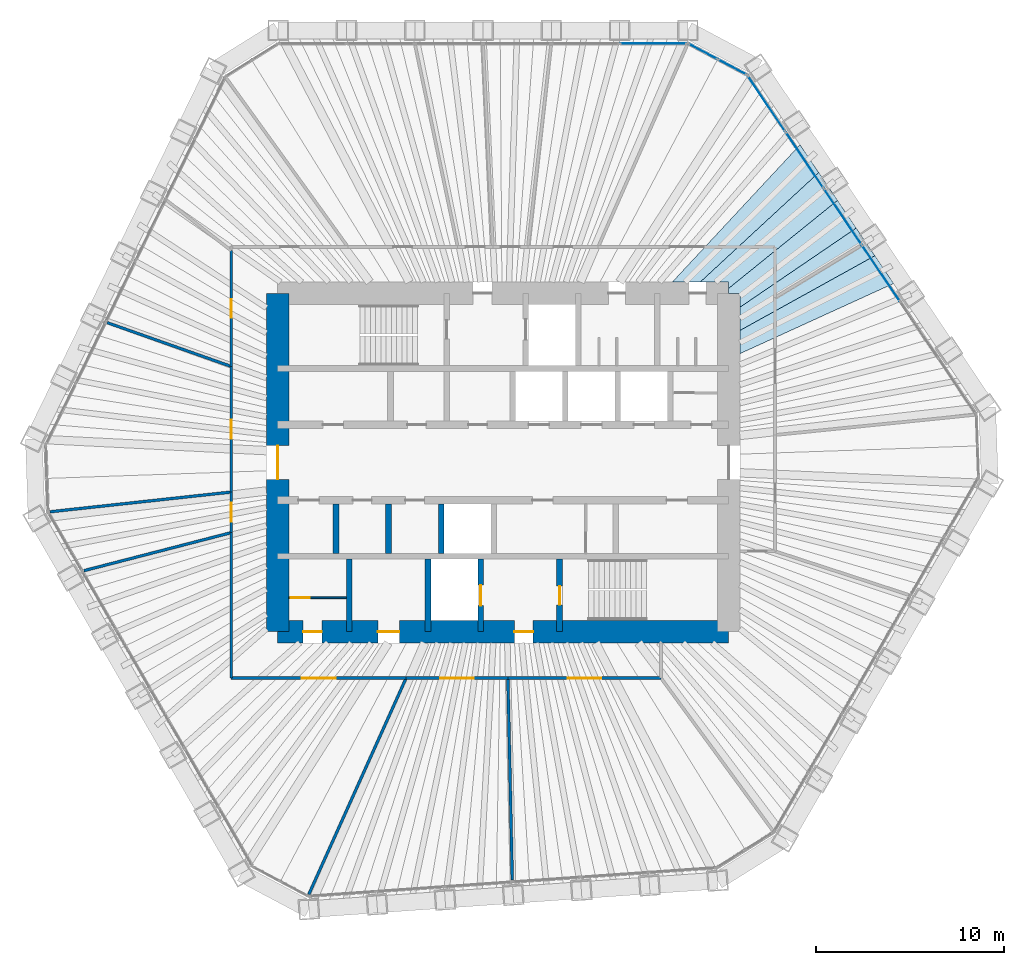
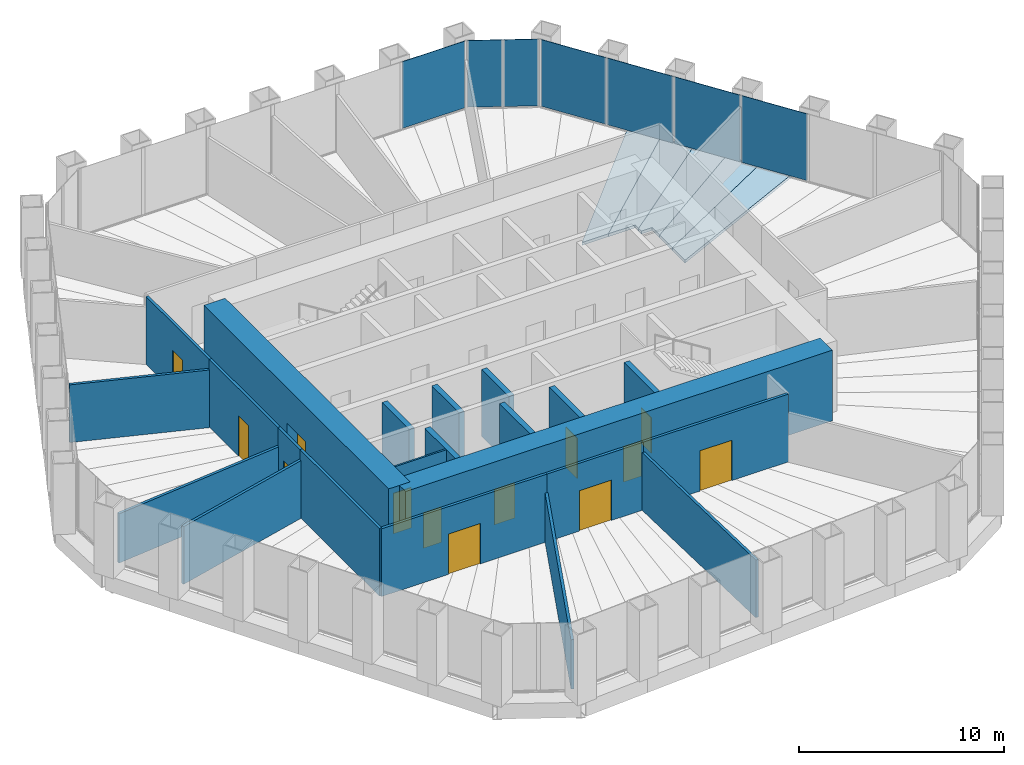
# One storey, part 10 of 14: 22 walls, 13 doors, 7 plates, 5 slabs, 13 openings, 3 elements without a shape of their own.
"""IFC4 building model written with IfcOpenShell, lengths in metres."""

from ifc_helpers import new_model, si_unit, direction, frame, frame_2d, origin, origin_2d, place, context, subcontext, project, spatial, polyline, rectangle, outline, extrude, material, layer, layer_set, type_object, element, fill, aggregate, save


model = new_model("IFC4")

# Units and contexts
model_context = context("Model", 3, precision=1e-05, world=origin(), true_north=direction((0.0, 1.0)))
body_context = subcontext(model_context, "Body", "Model", "MODEL_VIEW")
ifc_project = project(units=[si_unit("LENGTHUNIT", "METRE"), si_unit("AREAUNIT", "SQUARE_METRE"), si_unit("VOLUMEUNIT", "CUBIC_METRE"), si_unit("PLANEANGLEUNIT", "RADIAN"), si_unit("MASSUNIT", "GRAM", prefix="KILO")], contexts=[model_context])

# Site, building, storey
site_placement = place(None, origin())
site = spatial("IfcSite", under=ifc_project, at=site_placement, CompositionType="ELEMENT")
building_placement = place(site_placement, origin())
building = spatial("IfcBuilding", under=site, at=building_placement, Name="Qingtian Harvest Tower", CompositionType="ELEMENT")
storey_placement = place(building_placement, frame((0.0, 0.0, 197.199951171875)))
storey = spatial("IfcBuildingStorey", under=building, at=storey_placement, Name="L42", CompositionType="ELEMENT", Elevation=197.199951171875)

# Slabs
ifc_material_1 = material(Name="Concrete fc' 35 MPa", Category="concrete")
ifc_layer_1 = layer(ifc_material_1, 0.169921875)
ifc_layer_set_1 = layer_set([ifc_layer_1], Name="Composite floor slab FS17 170")
slab_type = type_object("IfcSlabType", Name="Composite floor slab FS17 170", PredefinedType="FLOOR", material=ifc_layer_set_1)
slab_1_placement = place(storey_placement, frame((0.0, 0.0, -0.169921875)))
element("IfcSlab", 1, at=slab_1_placement, inside=storey, type_object=slab_type, Name="Floor slab L42 panel D45", PredefinedType="FLOOR", context=body_context, shape_type="SweptSolid", body=[
    extrude(outline(polyline([(12.60009765625, 7.023681640625), (19.7841796875, 11.003662109375), (20.780517578125, 9.526611328125), (12.60009765625, 5.7900390625), (12.60009765625, 7.023681640625)])), origin(), (0.0, 0.0, 1.0), 0.169921875),
])
slab_2_placement = place(storey_placement, frame((0.0, 0.0, -0.169921875)))
element("IfcSlab", 2, at=slab_2_placement, inside=storey, type_object=slab_type, Name="Floor slab L42 panel D46", PredefinedType="FLOOR", context=body_context, shape_type="SweptSolid", body=[
    extrude(outline(polyline([(12.60009765625, 8.260498046875), (18.791259765625, 12.475830078125), (19.7841796875, 11.003662109375), (12.60009765625, 7.023681640625), (12.60009765625, 8.260498046875)])), origin(), (0.0, 0.0, 1.0), 0.169921875),
])
slab_3_placement = place(storey_placement, frame((0.0, 0.0, -0.169921875)))
element("IfcSlab", 3, at=slab_3_placement, inside=storey, type_object=slab_type, Name="Floor slab L42 panel D47", PredefinedType="FLOOR", context=body_context, shape_type="SweptSolid", body=[
    extrude(outline(polyline([(12.60009765625, 9.0), (12.0, 9.0), (12.0, 9.2666015625), (17.795654296875, 13.95166015625), (18.791259765625, 12.475830078125), (12.60009765625, 8.260498046875), (12.60009765625, 9.0)])), origin(), (0.0, 0.0, 1.0), 0.169921875),
])
slab_4_placement = place(storey_placement, frame((0.0, 0.0, -0.169921875)))
element("IfcSlab", 4, at=slab_4_placement, inside=storey, type_object=slab_type, Name="Floor slab L42 panel D48", PredefinedType="FLOOR", context=body_context, shape_type="SweptSolid", body=[
    extrude(outline(polyline([(12.0, 9.60009765625), (10.48583984375, 9.60009765625), (16.79638671875, 15.43310546875), (17.795654296875, 13.95166015625), (12.0, 9.2666015625), (12.0, 9.60009765625)])), origin(), (0.0, 0.0, 1.0), 0.169921875),
])
slab_5_placement = place(storey_placement, frame((0.0, 0.0, -0.169921875)))
element("IfcSlab", 5, at=slab_5_placement, inside=storey, type_object=slab_type, Name="Floor slab L42 panel D49", PredefinedType="FLOOR", context=body_context, shape_type="SweptSolid", body=[
    extrude(outline(polyline([(8.998291015625, 9.60009765625), (15.800048828125, 16.910400390625), (16.79638671875, 15.43310546875), (10.48583984375, 9.60009765625), (8.998291015625, 9.60009765625)])), origin(), (0.0, 0.0, 1.0), 0.169921875),
])

# Curtain wall, plate
ifc_material_2 = material(Name="Bronze-anodised aluminium curtain wall", Category="aluminium")
curtain_wall_type = type_object("IfcCurtainWallType", Name="Curtain wall CW4 office", PredefinedType="USERDEFINED", material=ifc_material_2)
curtain_wall_1_placement = place(storey_placement, origin())
curtain_wall_1 = element("IfcCurtainWall", 6, at=curtain_wall_1_placement, inside=storey, type_object=curtain_wall_type, Name="Curtain wall CW4 L42 N0-5", ObjectType="RECESSED CURTAIN WALL", PredefinedType="USERDEFINED")
ifc_material_3 = material(Name="Bronze-tinted laminated insulating glass", Category="glass")
ifc_layer_2 = layer(ifc_material_3, 0.030029296875)
ifc_layer_set_2 = layer_set([ifc_layer_2], Name="Glazed panel CWP tinted IGU")
plate_type = type_object("IfcPlateType", Name="Glazed panel CWP tinted IGU", PredefinedType="CURTAIN_PANEL", material=ifc_layer_set_2)
plate_1_placement = place(storey_placement, frame((7.996337890625, 22.300048828125, 0.06494140625), z_axis=(0.0, 0.0, 1.0), x_axis=(1.0, 0.0, 0.0)))
plate_1 = element("IfcPlate", 7, at=plate_1_placement, type_object=plate_type, Name="CW4 panel 6.1", PredefinedType="CURTAIN_PANEL", context=body_context, shape_type="SweptSolid", body=[
    extrude(rectangle(XDim=3.5361328125, YDim=0.030029296875, at=origin_2d()), origin(), (0.0, 0.0, 1.0), 3.965087890625),
])
aggregate(curtain_wall_1, [plate_1])

# Curtain wall, plates
curtain_wall_2_placement = place(storey_placement, origin())
curtain_wall_2 = element("IfcCurtainWall", 8, at=curtain_wall_2_placement, inside=storey, type_object=curtain_wall_type, Name="Curtain wall CW4 L42 NC", ObjectType="RECESSED CURTAIN WALL", PredefinedType="USERDEFINED")
plate_2_placement = place(storey_placement, frame((10.634033203125, 21.8720703125, 0.06494140625), z_axis=(0.0, 0.0, 1.0), x_axis=(0.882947592859, -0.469471562786, 0.0)))
plate_2 = element("IfcPlate", 9, at=plate_2_placement, type_object=plate_type, Name="CW4 panel 1.1", PredefinedType="CURTAIN_PANEL", context=body_context, shape_type="SweptSolid", body=[
    extrude(rectangle(XDim=1.69287109375, YDim=0.030029296875, at=origin_2d()), origin(), (0.0, 0.0, 1.0), 3.965087890625),
])
plate_3_placement = place(storey_placement, frame((12.186279296875, 21.046875, 0.06494140625), z_axis=(0.0, 0.0, 1.0), x_axis=(0.882947592859, -0.469471562786, 0.0)))
plate_3 = element("IfcPlate", 10, at=plate_3_placement, type_object=plate_type, Name="CW4 panel 2.1", PredefinedType="CURTAIN_PANEL", context=body_context, shape_type="SweptSolid", body=[
    extrude(rectangle(XDim=1.69287109375, YDim=0.030029296875, at=origin_2d()), origin(), (0.0, 0.0, 1.0), 3.965087890625),
])
aggregate(curtain_wall_2, [plate_2, plate_3])

curtain_wall_3_placement = place(storey_placement, origin())
curtain_wall_3 = element("IfcCurtainWall", 11, at=curtain_wall_3_placement, inside=storey, type_object=curtain_wall_type, Name="Curtain wall CW4 L42 NE0-5", ObjectType="RECESSED CURTAIN WALL", PredefinedType="USERDEFINED")
plate_4_placement = place(storey_placement, frame((14.01611328125, 19.09912109375, 0.06494140625), z_axis=(0.0, 0.0, 1.0), x_axis=(0.559192903471, -0.829037572555, 0.0)))
plate_4 = element("IfcPlate", 12, at=plate_4_placement, type_object=plate_type, Name="CW4 panel 1.1", PredefinedType="CURTAIN_PANEL", context=body_context, shape_type="SweptSolid", body=[
    extrude(rectangle(XDim=3.5361328125, YDim=0.030029296875, at=origin_2d()), origin(), (0.0, 0.0, 1.0), 3.965087890625),
])
plate_5_placement = place(storey_placement, frame((16.038818359375, 16.100341796875, 0.06494140625), z_axis=(0.0, 0.0, 1.0), x_axis=(0.559192903471, -0.829037572555, 0.0)))
plate_5 = element("IfcPlate", 13, at=plate_5_placement, type_object=plate_type, Name="CW4 panel 2.1", PredefinedType="CURTAIN_PANEL", context=body_context, shape_type="SweptSolid", body=[
    extrude(rectangle(XDim=3.568603515625, YDim=0.030029296875, at=origin_2d()), origin(), (0.0, 0.0, 1.0), 3.965087890625),
])
plate_6_placement = place(storey_placement, frame((18.07080078125, 13.087890625, 0.06494140625), z_axis=(0.0, 0.0, 1.0), x_axis=(0.559192903471, -0.829037572555, 0.0)))
plate_6 = element("IfcPlate", 14, at=plate_6_placement, type_object=plate_type, Name="CW4 panel 3.1", PredefinedType="CURTAIN_PANEL", context=body_context, shape_type="SweptSolid", body=[
    extrude(rectangle(XDim=3.568603515625, YDim=0.030029296875, at=origin_2d()), origin(), (0.0, 0.0, 1.0), 3.965087890625),
])
plate_7_placement = place(storey_placement, frame((20.1025390625, 10.07568359375, 0.06494140625), z_axis=(0.0, 0.0, 1.0), x_axis=(0.559192903471, -0.829037572555, 0.0)))
plate_7 = element("IfcPlate", 15, at=plate_7_placement, type_object=plate_type, Name="CW4 panel 4.1", PredefinedType="CURTAIN_PANEL", context=body_context, shape_type="SweptSolid", body=[
    extrude(rectangle(XDim=3.568603515625, YDim=0.030029296875, at=origin_2d()), origin(), (0.0, 0.0, 1.0), 3.965087890625),
])
aggregate(curtain_wall_3, [plate_4, plate_5, plate_6, plate_7])

# Walls
ifc_material_4 = material(Name="Precast concrete shaft panel", Category="concrete")
ifc_layer_3 = layer(ifc_material_4, 0.300048828125)
ifc_layer_set_3 = layer_set([ifc_layer_3], Name="Core shaft partition SW1 300")
wall_type_1 = type_object("IfcWallType", Name="Core shaft partition SW1 300", PredefinedType="PARTITIONING", material=ifc_layer_set_3)
for number, where, z_axis, x_axis, name in (
    (16, (-8.89990234375, -4.85009765625, 0.0), (0.0, 0.0, 1.0), (0.0, 1.0, 0.0), "Core shaft partition XB1 L42"),
    (17, (-6.10009765625, -4.85009765625, 0.0), (0.0, 0.0, 1.0), (0.0, 1.0, 0.0), "Core shaft partition XB2 L42"),
    (18, (-3.300048828125, -4.85009765625, 0.0), (0.0, 0.0, 1.0), (0.0, 1.0, 0.0), "Core shaft partition XB3 L42"),
):
    element("IfcWall", number, at=place(storey_placement, frame(where, z_axis=z_axis, x_axis=x_axis)), inside=storey, type_object=wall_type_1, Name=name, PredefinedType="PARTITIONING", context=body_context, shape_type="SweptSolid", body=[
        extrude(rectangle(XDim=2.650146484375, YDim=0.300048828125, at=frame_2d((1.3251953125, 0.0))), origin(), (0.0, 0.0, 1.0), 3.97998046875),
    ])
for number, where, z_axis, x_axis, name in (
    (19, (-8.199951171875, -9.0, 0.0), (0.0, 0.0, 1.0), (0.0, 1.0, 0.0), "Core shaft partition XS1 L42"),
    (20, (-4.0, -9.0, 0.0), (0.0, 0.0, 1.0), (0.0, 1.0, 0.0), "Core shaft partition XS2 L42"),
):
    element("IfcWall", number, at=place(storey_placement, frame(where, z_axis=z_axis, x_axis=x_axis)), inside=storey, type_object=wall_type_1, Name=name, PredefinedType="PARTITIONING", context=body_context, shape_type="SweptSolid", body=[
        extrude(rectangle(XDim=3.85009765625, YDim=0.300048828125, at=frame_2d((1.925048828125, 0.0))), origin(), (0.0, 0.0, 1.0), 3.97998046875),
    ])

# Wall, opening, door
wall_1_placement = place(storey_placement, frame((-1.199951171875, -9.0, 0.0), z_axis=(0.0, 0.0, 1.0), x_axis=(0.0, 1.0, 0.0)))
wall_1 = element("IfcWall", 21, at=wall_1_placement, inside=storey, type_object=wall_type_1, Name="Core shaft partition XS3 L42", PredefinedType="PARTITIONING", context=body_context, shape_type="SweptSolid", body=[
    extrude(rectangle(XDim=3.85009765625, YDim=0.300048828125, at=frame_2d((1.925048828125, 0.0))), origin(), (0.0, 0.0, 1.0), 3.97998046875),
])
opening_1_placement = place(wall_1_placement, frame((1.375, 0.0, 0.0)))
opening_1 = element("IfcOpeningElement", 22, at=opening_1_placement, cuts=wall_1, Name="Opening LD1", PredefinedType="OPENING", context=body_context, shape_type="SweptSolid", body=[
    extrude(rectangle(XDim=1.10009765625, YDim=2.39990234375, at=frame_2d((0.550048828125, 1.199951171875))), frame((0.0, 0.159912109375, 0.0), z_axis=(0.0, -1.0, 0.0), x_axis=(1.0, 0.0, 0.0)), (0.0, 0.0, 1.0), 0.320068359375),
])
ifc_material_5 = material(Name="Stainless steel lift landing door", Category="steel")
door_type_1 = type_object("IfcDoorType", Name="Lift landing door LD1 1 HR", OperationType="DOUBLE_DOOR_SLIDING", PredefinedType="DOOR", material=ifc_material_5)
door_1_placement = place(opening_1_placement, origin())
door_1 = element("IfcDoor", 23, at=door_1_placement, inside=storey, type_object=door_type_1, Name="FL2 landing door L42", OperationType="DOUBLE_DOOR_SLIDING", OverallHeight=2.39990234375, OverallWidth=1.10009765625, PredefinedType="DOOR", context=body_context, shape_type="SweptSolid", body=[
    extrude(rectangle(XDim=1.10009765625, YDim=2.39990234375, at=frame_2d((0.550048828125, 1.199951171875))), frame((0.0, 0.02490234375, 0.0), z_axis=(0.0, -1.0, 0.0), x_axis=(1.0, 0.0, 0.0)), (0.0, 0.0, 1.0), 0.050048828125),
])
fill(opening_1, door_1)

wall_2_placement = place(storey_placement, frame((3.0, -9.0, 0.0), z_axis=(0.0, 0.0, 1.0), x_axis=(0.0, 1.0, 0.0)))
wall_2 = element("IfcWall", 24, at=wall_2_placement, inside=storey, type_object=wall_type_1, Name="Core shaft partition XS4 L42", PredefinedType="PARTITIONING", context=body_context, shape_type="SweptSolid", body=[
    extrude(rectangle(XDim=3.85009765625, YDim=0.300048828125, at=frame_2d((1.925048828125, 0.0))), origin(), (0.0, 0.0, 1.0), 3.97998046875),
])
opening_2_placement = place(wall_2_placement, frame((1.425048828125, 0.0, 0.0)))
opening_2 = element("IfcOpeningElement", 25, at=opening_2_placement, cuts=wall_2, Name="Opening FD1", PredefinedType="OPENING", context=body_context, shape_type="SweptSolid", body=[
    extrude(rectangle(XDim=1.0, YDim=2.10009765625, at=frame_2d((0.5, 1.050048828125))), frame((0.0, 0.159912109375, 0.0), z_axis=(0.0, -1.0, 0.0), x_axis=(1.0, 0.0, 0.0)), (0.0, 0.0, 1.0), 0.320068359375),
])
ifc_material_6 = material(Name="Steel-faced door leaf", Category="steel")
door_type_2 = type_object("IfcDoorType", Name="Fire door FD1 single 1 HR", OperationType="SINGLE_SWING_LEFT", PredefinedType="DOOR", material=ifc_material_6)
door_2_placement = place(opening_2_placement, origin())
door_2 = element("IfcDoor", 26, at=door_2_placement, inside=storey, type_object=door_type_2, Name="S2 door L42", OperationType="SINGLE_SWING_LEFT", OverallHeight=2.10009765625, OverallWidth=1.0, PredefinedType="DOOR", context=body_context, shape_type="SweptSolid", body=[
    extrude(rectangle(XDim=1.0, YDim=2.10009765625, at=frame_2d((0.5, 1.050048828125))), frame((0.0, 0.02490234375, 0.0), z_axis=(0.0, -1.0, 0.0), x_axis=(1.0, 0.0, 0.0)), (0.0, 0.0, 1.0), 0.050048828125),
])
fill(opening_2, door_2)

# Wall, openings, doors
ifc_material_7 = material(Name="Concrete fc' 70 MPa", Category="concrete")
ifc_layer_4 = layer(ifc_material_7, 1.199951171875)
ifc_layer_set_4 = layer_set([ifc_layer_4], Name="Core wall RC2 1200")
wall_type_2 = type_object("IfcWallType", Name="Core wall RC2 1200", PredefinedType="SHEAR", material=ifc_layer_set_4)
wall_3_placement = place(storey_placement, frame((-12.0, -9.0, 0.0), z_axis=(0.0, 0.0, 1.0), x_axis=(1.0, 0.0, 0.0)))
wall_3 = element("IfcWall", 27, at=wall_3_placement, inside=storey, type_object=wall_type_2, Name="Core wall CS L42", PredefinedType="SHEAR", context=body_context, shape_type="SweptSolid", body=[
    extrude(rectangle(XDim=24.0, YDim=1.199951171875, at=frame_2d((12.0, 0.0))), origin(), (0.0, 0.0, 1.0), 4.199951171875),
])
opening_3_placement = place(wall_3_placement, frame((1.35009765625, 0.0, 0.0)))
opening_3 = element("IfcOpeningElement", 28, at=opening_3_placement, cuts=wall_3, Name="Opening FD1", PredefinedType="OPENING", context=body_context, shape_type="SweptSolid", body=[
    extrude(rectangle(XDim=1.0, YDim=2.10009765625, at=frame_2d((0.5, 1.050048828125))), frame((0.0, 0.60986328125, 0.0), z_axis=(0.0, -1.0, 0.0), x_axis=(1.0, 0.0, 0.0)), (0.0, 0.0, 1.0), 1.219970703125),
])
opening_4_placement = place(wall_3_placement, frame((5.324951171875, 0.0, 0.0)))
opening_4 = element("IfcOpeningElement", 29, at=opening_4_placement, cuts=wall_3, Name="Opening AD1", PredefinedType="OPENING", context=body_context, shape_type="SweptSolid", body=[
    extrude(rectangle(XDim=1.14990234375, YDim=2.10009765625, at=frame_2d((0.574951171875, 1.050048828125))), frame((0.0, 0.60986328125, 0.0), z_axis=(0.0, -1.0, 0.0), x_axis=(1.0, 0.0, 0.0)), (0.0, 0.0, 1.0), 1.219970703125),
])
opening_5_placement = place(wall_3_placement, frame((12.60009765625, 0.0, 0.0)))
opening_5 = element("IfcOpeningElement", 30, at=opening_5_placement, cuts=wall_3, Name="Opening FD1", PredefinedType="OPENING", context=body_context, shape_type="SweptSolid", body=[
    extrude(rectangle(XDim=1.0, YDim=2.10009765625, at=frame_2d((0.5, 1.050048828125))), frame((0.0, 0.60986328125, 0.0), z_axis=(0.0, -1.0, 0.0), x_axis=(1.0, 0.0, 0.0)), (0.0, 0.0, 1.0), 1.219970703125),
])
ifc_material_8 = material(Name="Laminated timber door leaf", Category="wood")
door_type_3 = type_object("IfcDoorType", Name="Accessible WC door AD1 single", OperationType="SINGLE_SWING_LEFT", PredefinedType="DOOR", material=ifc_material_8)
door_3_placement = place(opening_4_placement, origin())
door_3 = element("IfcDoor", 31, at=door_3_placement, inside=storey, type_object=door_type_3, Name="AWC door L42", OperationType="SINGLE_SWING_LEFT", OverallHeight=2.10009765625, OverallWidth=1.14990234375, PredefinedType="DOOR", context=body_context, shape_type="SweptSolid", body=[
    extrude(rectangle(XDim=1.14990234375, YDim=2.10009765625, at=frame_2d((0.574951171875, 1.050048828125))), frame((0.0, 0.02490234375, 0.0), z_axis=(0.0, -1.0, 0.0), x_axis=(1.0, 0.0, 0.0)), (0.0, 0.0, 1.0), 0.050048828125),
])
fill(opening_4, door_3)
door_4_placement = place(opening_3_placement, origin())
door_4 = element("IfcDoor", 32, at=door_4_placement, inside=storey, type_object=door_type_2, Name="CLN door L42", OperationType="SINGLE_SWING_LEFT", OverallHeight=2.10009765625, OverallWidth=1.0, PredefinedType="DOOR", context=body_context, shape_type="SweptSolid", body=[
    extrude(rectangle(XDim=1.0, YDim=2.10009765625, at=frame_2d((0.5, 1.050048828125))), frame((0.0, 0.02490234375, 0.0), z_axis=(0.0, -1.0, 0.0), x_axis=(1.0, 0.0, 0.0)), (0.0, 0.0, 1.0), 0.050048828125),
])
fill(opening_3, door_4)
door_5_placement = place(opening_5_placement, origin())
door_5 = element("IfcDoor", 33, at=door_5_placement, inside=storey, type_object=door_type_2, Name="V2 door L42", OperationType="SINGLE_SWING_RIGHT", OverallHeight=2.10009765625, OverallWidth=1.0, PredefinedType="DOOR", context=body_context, shape_type="SweptSolid", body=[
    extrude(rectangle(XDim=1.0, YDim=2.10009765625, at=frame_2d((0.5, 1.050048828125))), frame((0.0, 0.02490234375, 0.0), z_axis=(0.0, -1.0, 0.0), x_axis=(1.0, 0.0, 0.0)), (0.0, 0.0, 1.0), 0.050048828125),
])
fill(opening_5, door_5)

# Wall, opening, door
wall_4_placement = place(storey_placement, frame((-12.0, -9.0, 0.0), z_axis=(0.0, 0.0, 1.0), x_axis=(0.0, 1.0, 0.0)))
wall_4 = element("IfcWall", 34, at=wall_4_placement, inside=storey, type_object=wall_type_2, Name="Core wall CW L42", PredefinedType="SHEAR", context=body_context, shape_type="SweptSolid", body=[
    extrude(rectangle(XDim=18.0, YDim=1.199951171875, at=frame_2d((9.0, 0.0))), origin(), (0.0, 0.0, 1.0), 4.199951171875),
])
opening_6_placement = place(wall_4_placement, frame((8.10009765625, 0.0, 0.0)))
opening_6 = element("IfcOpeningElement", 35, at=opening_6_placement, cuts=wall_4, Name="Opening FD2", PredefinedType="OPENING", context=body_context, shape_type="SweptSolid", body=[
    extrude(rectangle(XDim=1.800048828125, YDim=2.10009765625, at=frame_2d((0.89990234375, 1.050048828125))), frame((0.0, 0.60986328125, 0.0), z_axis=(0.0, -1.0, 0.0), x_axis=(1.0, 0.0, 0.0)), (0.0, 0.0, 1.0), 1.219970703125),
])
ifc_material_9 = material(Name="Steel-faced door leaf", Category="steel")
door_type_4 = type_object("IfcDoorType", Name="Fire door FD2 double 1 HR", OperationType="DOUBLE_DOOR_DOUBLE_SWING", PredefinedType="DOOR", material=ifc_material_9)
door_6_placement = place(opening_6_placement, origin())
door_6 = element("IfcDoor", 36, at=door_6_placement, inside=storey, type_object=door_type_4, Name="LOBBY-W door L42", OperationType="DOUBLE_DOOR_DOUBLE_SWING", OverallHeight=2.10009765625, OverallWidth=1.800048828125, PredefinedType="DOOR", context=body_context, shape_type="SweptSolid", body=[
    extrude(rectangle(XDim=1.800048828125, YDim=2.10009765625, at=frame_2d((0.89990234375, 1.050048828125))), frame((0.0, 0.02490234375, 0.0), z_axis=(0.0, -1.0, 0.0), x_axis=(1.0, 0.0, 0.0)), (0.0, 0.0, 1.0), 0.050048828125),
])
fill(opening_6, door_6)

ifc_material_10 = material(Name="Gypsum board on steel studs", Category="steel")
ifc_layer_5 = layer(ifc_material_10, 0.14990234375)
ifc_layer_set_5 = layer_set([ifc_layer_5], Name="Partition PT1 150")
wall_type_3 = type_object("IfcWallType", Name="Partition PT1 150", PredefinedType="PARTITIONING", material=ifc_layer_set_5)
wall_5_placement = place(storey_placement, frame((8.402587890625, -11.47509765625, 0.0), z_axis=(0.0, 0.0, 1.0), x_axis=(-1.0, 0.0, 0.0)))
wall_5 = element("IfcWall", 37, at=wall_5_placement, inside=storey, type_object=wall_type_3, Name="Meeting room wall L42", PredefinedType="PARTITIONING", context=body_context, shape_type="SweptSolid", body=[
    extrude(rectangle(XDim=8.15234375, YDim=0.14990234375, at=frame_2d((4.076171875, 0.0))), origin(), (0.0, 0.0, 1.0), 4.030029296875),
])
opening_7_placement = place(wall_5_placement, frame((3.176025390625, 0.0, 0.0)))
opening_7 = element("IfcOpeningElement", 38, at=opening_7_placement, cuts=wall_5, Name="Opening D3", PredefinedType="OPENING", context=body_context, shape_type="SweptSolid", body=[
    extrude(rectangle(XDim=1.800048828125, YDim=2.39990234375, at=frame_2d((0.89990234375, 1.199951171875))), frame((0.0, 0.0849609375, 0.0), z_axis=(0.0, -1.0, 0.0), x_axis=(1.0, 0.0, 0.0)), (0.0, 0.0, 1.0), 0.169921875),
])
ifc_material_11 = material(Name="Laminated timber door leaf", Category="wood")
door_type_5 = type_object("IfcDoorType", Name="Room door D3 double", OperationType="DOUBLE_DOOR_DOUBLE_SWING", PredefinedType="DOOR", material=ifc_material_11)
door_7_placement = place(opening_7_placement, origin())
door_7 = element("IfcDoor", 39, at=door_7_placement, inside=storey, type_object=door_type_5, Name="Meeting room door L42", OperationType="DOUBLE_DOOR_DOUBLE_SWING", OverallHeight=2.39990234375, OverallWidth=1.800048828125, PredefinedType="DOOR", context=body_context, shape_type="SweptSolid", body=[
    extrude(rectangle(XDim=1.800048828125, YDim=2.39990234375, at=frame_2d((0.89990234375, 1.199951171875))), frame((0.0, 0.02490234375, 0.0), z_axis=(0.0, -1.0, 0.0), x_axis=(1.0, 0.0, 0.0)), (0.0, 0.0, 1.0), 0.050048828125),
])
fill(opening_7, door_7)

# Wall
wall_6_placement = place(storey_placement, frame((0.484619140625, -22.220458984375, 0.0), z_axis=(0.0, 0.0, 1.0), x_axis=(-0.021806550804, 0.999762208899, 0.0)))
element("IfcWall", 40, at=wall_6_placement, inside=storey, type_object=wall_type_3, Name="Office suite wall L42", PredefinedType="PARTITIONING", context=body_context, shape_type="SweptSolid", body=[
    extrude(rectangle(XDim=10.747802734375, YDim=0.14990234375, at=frame_2d((5.3740234375, 0.0))), origin(), (0.0, 0.0, 1.0), 3.429931640625),
])

# Wall, opening, door
wall_7_placement = place(storey_placement, frame((0.250244140625, -11.47509765625, 0.0), z_axis=(0.0, 0.0, 1.0), x_axis=(-1.0, 0.0, 0.0)))
wall_7 = element("IfcWall", 41, at=wall_7_placement, inside=storey, type_object=wall_type_3, Name="Office suite wall L42", PredefinedType="PARTITIONING", context=body_context, shape_type="SweptSolid", body=[
    extrude(rectangle(XDim=5.41455078125, YDim=0.14990234375, at=frame_2d((2.707275390625, 0.0))), origin(), (0.0, 0.0, 1.0), 4.030029296875),
])
opening_8_placement = place(wall_7_placement, frame((1.80712890625, 0.0, 0.0)))
opening_8 = element("IfcOpeningElement", 42, at=opening_8_placement, cuts=wall_7, Name="Opening D3", PredefinedType="OPENING", context=body_context, shape_type="SweptSolid", body=[
    extrude(rectangle(XDim=1.800048828125, YDim=2.39990234375, at=frame_2d((0.89990234375, 1.199951171875))), frame((0.0, 0.0849609375, 0.0), z_axis=(0.0, -1.0, 0.0), x_axis=(1.0, 0.0, 0.0)), (0.0, 0.0, 1.0), 0.169921875),
])
door_8_placement = place(opening_8_placement, origin())
door_8 = element("IfcDoor", 43, at=door_8_placement, inside=storey, type_object=door_type_5, Name="Office suite door L42", OperationType="DOUBLE_DOOR_DOUBLE_SWING", OverallHeight=2.39990234375, OverallWidth=1.800048828125, PredefinedType="DOOR", context=body_context, shape_type="SweptSolid", body=[
    extrude(rectangle(XDim=1.800048828125, YDim=2.39990234375, at=frame_2d((0.89990234375, 1.199951171875))), frame((0.0, 0.02490234375, 0.0), z_axis=(0.0, -1.0, 0.0), x_axis=(1.0, 0.0, 0.0)), (0.0, 0.0, 1.0), 0.050048828125),
])
fill(opening_8, door_8)

# Wall
wall_8_placement = place(storey_placement, frame((-10.34619140625, -22.989501953125, 0.0), z_axis=(0.0, 0.0, 1.0), x_axis=(0.410391207886, 0.91190956596, 0.0)))
element("IfcWall", 44, at=wall_8_placement, inside=storey, type_object=wall_type_3, Name="Office suite wall L42", PredefinedType="PARTITIONING", context=body_context, shape_type="SweptSolid", body=[
    extrude(rectangle(XDim=12.626708984375, YDim=0.14990234375, at=frame_2d((6.3134765625, 0.0))), origin(), (0.0, 0.0, 1.0), 2.929931640625),
])

# Wall, opening, door
wall_9_placement = place(storey_placement, frame((-5.164306640625, -11.47509765625, 0.0), z_axis=(0.0, 0.0, 1.0), x_axis=(-1.0, 0.0, 0.0)))
wall_9 = element("IfcWall", 45, at=wall_9_placement, inside=storey, type_object=wall_type_3, Name="Office suite wall L42", PredefinedType="PARTITIONING", context=body_context, shape_type="SweptSolid", body=[
    extrude(rectangle(XDim=9.310791015625, YDim=0.14990234375, at=frame_2d((4.6552734375, 0.0))), origin(), (0.0, 0.0, 1.0), 4.030029296875),
])
opening_9_placement = place(wall_9_placement, frame((3.75537109375, 0.0, 0.0)))
opening_9 = element("IfcOpeningElement", 46, at=opening_9_placement, cuts=wall_9, Name="Opening D3", PredefinedType="OPENING", context=body_context, shape_type="SweptSolid", body=[
    extrude(rectangle(XDim=1.800048828125, YDim=2.39990234375, at=frame_2d((0.89990234375, 1.199951171875))), frame((0.0, 0.0849609375, 0.0), z_axis=(0.0, -1.0, 0.0), x_axis=(1.0, 0.0, 0.0)), (0.0, 0.0, 1.0), 0.169921875),
])
door_9_placement = place(opening_9_placement, origin())
door_9 = element("IfcDoor", 47, at=door_9_placement, inside=storey, type_object=door_type_5, Name="Office suite door L42", OperationType="DOUBLE_DOOR_DOUBLE_SWING", OverallHeight=2.39990234375, OverallWidth=1.800048828125, PredefinedType="DOOR", context=body_context, shape_type="SweptSolid", body=[
    extrude(rectangle(XDim=1.800048828125, YDim=2.39990234375, at=frame_2d((0.89990234375, 1.199951171875))), frame((0.0, 0.02490234375, 0.0), z_axis=(0.0, -1.0, 0.0), x_axis=(1.0, 0.0, 0.0)), (0.0, 0.0, 1.0), 0.050048828125),
])
fill(opening_9, door_9)

# Walls
wall_10_placement = place(storey_placement, frame((-14.47509765625, -11.47509765625, 0.0), z_axis=(0.0, 0.0, 1.0), x_axis=(0.0, 1.0, 0.0)))
element("IfcWall", 48, at=wall_10_placement, inside=storey, type_object=wall_type_3, Name="Office suite wall L42", PredefinedType="PARTITIONING", context=body_context, shape_type="SweptSolid", body=[
    extrude(rectangle(XDim=7.739013671875, YDim=0.14990234375, at=frame_2d((3.86962890625, 0.0))), origin(), (0.0, 0.0, 1.0), 4.030029296875),
])
wall_11_placement = place(storey_placement, frame((-22.3134765625, -5.75927734375, 0.0), z_axis=(0.0, 0.0, 1.0), x_axis=(0.968265788926, 0.249922712042, 0.0)))
element("IfcWall", 49, at=wall_11_placement, inside=storey, type_object=wall_type_3, Name="Focus room wall L42", PredefinedType="PARTITIONING", context=body_context, shape_type="SweptSolid", body=[
    extrude(rectangle(XDim=8.09521484375, YDim=0.14990234375, at=frame_2d((4.047607421875, 0.0))), origin(), (0.0, 0.0, 1.0), 3.429931640625),
])

# Wall, opening, door
wall_12_placement = place(storey_placement, frame((-14.47509765625, -3.736083984375, 0.0), z_axis=(0.0, 0.0, 1.0), x_axis=(0.0, 1.0, 0.0)))
wall_12 = element("IfcWall", 50, at=wall_12_placement, inside=storey, type_object=wall_type_3, Name="Focus room wall L42", PredefinedType="PARTITIONING", context=body_context, shape_type="SweptSolid", body=[
    extrude(rectangle(XDim=2.16015625, YDim=0.14990234375, at=frame_2d((1.080078125, 0.0))), origin(), (0.0, 0.0, 1.0), 4.030029296875),
])
opening_10_placement = place(wall_12_placement, frame((0.580078125, 0.0, 0.0)))
opening_10 = element("IfcOpeningElement", 51, at=opening_10_placement, cuts=wall_12, Name="Opening D2", PredefinedType="OPENING", context=body_context, shape_type="SweptSolid", body=[
    extrude(rectangle(XDim=1.0, YDim=2.39990234375, at=frame_2d((0.5, 1.199951171875))), frame((0.0, 0.0849609375, 0.0), z_axis=(0.0, -1.0, 0.0), x_axis=(1.0, 0.0, 0.0)), (0.0, 0.0, 1.0), 0.169921875),
])
ifc_material_12 = material(Name="Laminated timber door leaf", Category="wood")
door_type_6 = type_object("IfcDoorType", Name="Room door D2 single", OperationType="SINGLE_SWING_LEFT", PredefinedType="DOOR", material=ifc_material_12)
door_10_placement = place(opening_10_placement, origin())
door_10 = element("IfcDoor", 52, at=door_10_placement, inside=storey, type_object=door_type_6, Name="Focus room door L42", OperationType="SINGLE_SWING_LEFT", OverallHeight=2.39990234375, OverallWidth=1.0, PredefinedType="DOOR", context=body_context, shape_type="SweptSolid", body=[
    extrude(rectangle(XDim=1.0, YDim=2.39990234375, at=frame_2d((0.5, 1.199951171875))), frame((0.0, 0.02490234375, 0.0), z_axis=(0.0, -1.0, 0.0), x_axis=(1.0, 0.0, 0.0)), (0.0, 0.0, 1.0), 0.050048828125),
])
fill(opening_10, door_10)

# Wall
wall_13_placement = place(storey_placement, frame((-24.127685546875, -2.626708984375, 0.0), z_axis=(0.0, 0.0, 1.0), x_axis=(0.994126892449, 0.108220708326, 0.0)))
element("IfcWall", 53, at=wall_13_placement, inside=storey, type_object=wall_type_3, Name="Pantry wall L42", PredefinedType="PARTITIONING", context=body_context, shape_type="SweptSolid", body=[
    extrude(rectangle(XDim=9.709716796875, YDim=0.14990234375, at=frame_2d((4.85498046875, 0.0))), origin(), (0.0, 0.0, 1.0), 2.929931640625),
])

# Wall, opening, door
wall_14_placement = place(storey_placement, frame((-14.47509765625, -1.575927734375, 0.0), z_axis=(0.0, 0.0, 1.0), x_axis=(0.0, 1.0, 0.0)))
wall_14 = element("IfcWall", 54, at=wall_14_placement, inside=storey, type_object=wall_type_3, Name="Pantry wall L42", PredefinedType="PARTITIONING", context=body_context, shape_type="SweptSolid", body=[
    extrude(rectangle(XDim=6.686279296875, YDim=0.14990234375, at=frame_2d((3.34326171875, 0.0))), origin(), (0.0, 0.0, 1.0), 4.030029296875),
])
opening_11_placement = place(wall_14_placement, frame((2.843017578125, 0.0, 0.0)))
opening_11 = element("IfcOpeningElement", 55, at=opening_11_placement, cuts=wall_14, Name="Opening D2", PredefinedType="OPENING", context=body_context, shape_type="SweptSolid", body=[
    extrude(rectangle(XDim=1.0, YDim=2.39990234375, at=frame_2d((0.5, 1.199951171875))), frame((0.0, 0.0849609375, 0.0), z_axis=(0.0, -1.0, 0.0), x_axis=(1.0, 0.0, 0.0)), (0.0, 0.0, 1.0), 0.169921875),
])
door_11_placement = place(opening_11_placement, origin())
door_11 = element("IfcDoor", 56, at=door_11_placement, inside=storey, type_object=door_type_6, Name="Pantry door L42", OperationType="SINGLE_SWING_LEFT", OverallHeight=2.39990234375, OverallWidth=1.0, PredefinedType="DOOR", context=body_context, shape_type="SweptSolid", body=[
    extrude(rectangle(XDim=1.0, YDim=2.39990234375, at=frame_2d((0.5, 1.199951171875))), frame((0.0, 0.02490234375, 0.0), z_axis=(0.0, -1.0, 0.0), x_axis=(1.0, 0.0, 0.0)), (0.0, 0.0, 1.0), 0.050048828125),
])
fill(opening_11, door_11)

# Wall
wall_15_placement = place(storey_placement, frame((-21.072021484375, 7.439453125, 0.0), z_axis=(0.0, 0.0, 1.0), x_axis=(0.94295553867, -0.332918686907, 0.0)))
element("IfcWall", 57, at=wall_15_placement, inside=storey, type_object=wall_type_3, Name="Office suite wall L42", PredefinedType="PARTITIONING", context=body_context, shape_type="SweptSolid", body=[
    extrude(rectangle(XDim=6.99609375, YDim=0.14990234375, at=frame_2d((3.498046875, 0.0))), origin(), (0.0, 0.0, 1.0), 3.429931640625),
])

# Wall, opening, door
wall_16_placement = place(storey_placement, frame((-14.47509765625, 5.1103515625, 0.0), z_axis=(0.0, 0.0, 1.0), x_axis=(0.0, 1.0, 0.0)))
wall_16 = element("IfcWall", 58, at=wall_16_placement, inside=storey, type_object=wall_type_3, Name="Office suite wall L42", PredefinedType="PARTITIONING", context=body_context, shape_type="SweptSolid", body=[
    extrude(rectangle(XDim=6.16357421875, YDim=0.14990234375, at=frame_2d((3.081787109375, 0.0))), origin(), (0.0, 0.0, 1.0), 4.030029296875),
])
opening_12_placement = place(wall_16_placement, frame((2.581787109375, 0.0, 0.0)))
opening_12 = element("IfcOpeningElement", 59, at=opening_12_placement, cuts=wall_16, Name="Opening D2", PredefinedType="OPENING", context=body_context, shape_type="SweptSolid", body=[
    extrude(rectangle(XDim=1.0, YDim=2.39990234375, at=frame_2d((0.5, 1.199951171875))), frame((0.0, 0.0849609375, 0.0), z_axis=(0.0, -1.0, 0.0), x_axis=(1.0, 0.0, 0.0)), (0.0, 0.0, 1.0), 0.169921875),
])
door_12_placement = place(opening_12_placement, origin())
door_12 = element("IfcDoor", 60, at=door_12_placement, inside=storey, type_object=door_type_6, Name="Office suite door L42", OperationType="SINGLE_SWING_LEFT", OverallHeight=2.39990234375, OverallWidth=1.0, PredefinedType="DOOR", context=body_context, shape_type="SweptSolid", body=[
    extrude(rectangle(XDim=1.0, YDim=2.39990234375, at=frame_2d((0.5, 1.199951171875))), frame((0.0, 0.02490234375, 0.0), z_axis=(0.0, -1.0, 0.0), x_axis=(1.0, 0.0, 0.0)), (0.0, 0.0, 1.0), 0.050048828125),
])
fill(opening_12, door_12)

ifc_material_13 = material(Name="Concrete block partition", Category="concrete")
ifc_layer_6 = layer(ifc_material_13, 0.10009765625)
ifc_layer_set_6 = layer_set([ifc_layer_6], Name="Store partition PT3 100")
wall_type_4 = type_object("IfcWallType", Name="Store partition PT3 100", PredefinedType="PARTITIONING", material=ifc_layer_set_6)
wall_17_placement = place(storey_placement, frame((-11.39990234375, -7.199951171875, 0.0), z_axis=(0.0, 0.0, 1.0), x_axis=(1.0, 0.0, 0.0)))
wall_17 = element("IfcWall", 61, at=wall_17_placement, inside=storey, type_object=wall_type_4, Name="Waste store wall L42", PredefinedType="PARTITIONING", context=body_context, shape_type="SweptSolid", body=[
    extrude(rectangle(XDim=3.0498046875, YDim=0.10009765625, at=frame_2d((1.52490234375, 0.0))), origin(), (0.0, 0.0, 1.0), 3.97998046875),
])
opening_13_placement = place(wall_17_placement, frame((0.10009765625, 0.0, 0.0)))
opening_13 = element("IfcOpeningElement", 62, at=opening_13_placement, cuts=wall_17, Name="Opening D2", PredefinedType="OPENING", context=body_context, shape_type="SweptSolid", body=[
    extrude(rectangle(XDim=1.0, YDim=2.39990234375, at=frame_2d((0.5, 1.199951171875))), frame((0.0, 0.06005859375, 0.0), z_axis=(0.0, -1.0, 0.0), x_axis=(1.0, 0.0, 0.0)), (0.0, 0.0, 1.0), 0.1201171875),
])
door_13_placement = place(opening_13_placement, origin())
door_13 = element("IfcDoor", 63, at=door_13_placement, inside=storey, type_object=door_type_6, Name="Waste store door L42", OperationType="SINGLE_SWING_LEFT", OverallHeight=2.39990234375, OverallWidth=1.0, PredefinedType="DOOR", context=body_context, shape_type="SweptSolid", body=[
    extrude(rectangle(XDim=1.0, YDim=2.39990234375, at=frame_2d((0.5, 1.199951171875))), frame((0.0, 0.02490234375, 0.0), z_axis=(0.0, -1.0, 0.0), x_axis=(1.0, 0.0, 0.0)), (0.0, 0.0, 1.0), 0.050048828125),
])
fill(opening_13, door_13)

save(model, "model.ifc")
